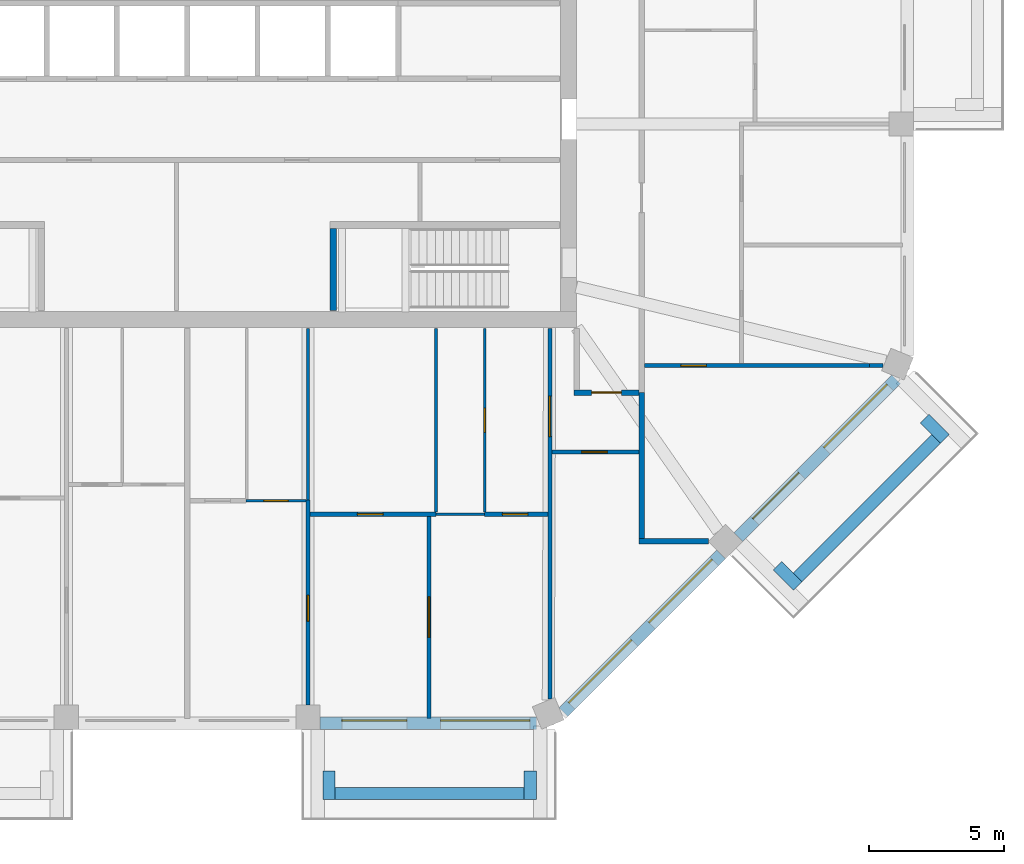
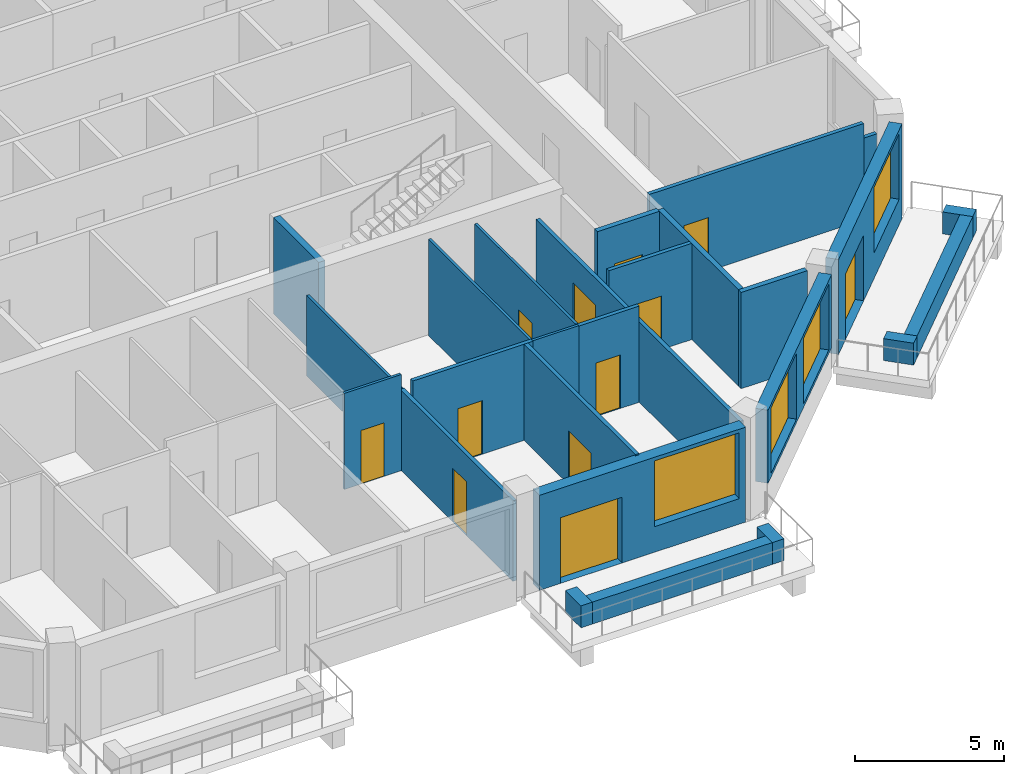
# One storey, part 5 of 13: 26 walls, 12 doors, 4 windows, 16 openings.
"""IFC4 building model written with IfcOpenShell, lengths in metres."""

from ifc_helpers import new_model, si_unit, direction, frame, frame_2d, origin, place, context, subcontext, project, spatial, rectangle, extrude, material, layer, layer_set, type_object, element, fill, save


model = new_model("IFC4")

# Units and contexts
model_context = context("Model", 3, precision=1e-05, world=origin(), true_north=direction((0.0, 1.0)))
body_context = subcontext(model_context, "Body", "Model", "MODEL_VIEW")
ifc_project = project(units=[si_unit("LENGTHUNIT", "METRE"), si_unit("AREAUNIT", "SQUARE_METRE"), si_unit("VOLUMEUNIT", "CUBIC_METRE"), si_unit("PLANEANGLEUNIT", "RADIAN"), si_unit("MASSUNIT", "GRAM", prefix="KILO")], contexts=[model_context])

# Site, building, storey
site_placement = place(None, origin())
site = spatial("IfcSite", under=ifc_project, at=site_placement, CompositionType="ELEMENT")
building_placement = place(site_placement, origin())
building = spatial("IfcBuilding", under=site, at=building_placement, Name="Msitu Wima Residences", CompositionType="ELEMENT")
storey_placement = place(building_placement, frame((0.0, 0.0, 289.5)))
storey = spatial("IfcBuildingStorey", under=building, at=storey_placement, Name="L67", CompositionType="ELEMENT", Elevation=289.5)

# Walls
ifc_material_1 = material(Name="Facing brick")
ifc_layer_1 = layer(ifc_material_1, 0.06494140625, Name="Facing brick")
ifc_material_2 = material(Name="Concrete C40/50", Category="concrete")
ifc_layer_2 = layer(ifc_material_2, 0.156005859375, Name="Concrete C40/50")
ifc_material_3 = material(Name="Waterproofing membrane")
ifc_layer_3 = layer(ifc_material_3, 0.00390625, Name="Waterproofing membrane")
ifc_material_4 = material(Name="Planting soil and planting")
ifc_layer_4 = layer(ifc_material_4, 0.22509765625, Name="Planting soil and planting")
ifc_layer_set_1 = layer_set([ifc_layer_1, ifc_layer_2, ifc_layer_3, ifc_layer_4], Name="Concrete C40/50")
wall_type_1 = type_object("IfcWallType", Name="Balcony planter PLANTER PL450", PredefinedType="USERDEFINED", material=ifc_layer_set_1)
wall_1_placement = place(storey_placement, frame((5.468505859375, -29.22509765625, 0.0), z_axis=(0.0, 0.0, 1.0), x_axis=(1.0, 0.0, 0.0)))
element("IfcWall", 1, at=wall_1_placement, inside=storey, type_object=wall_type_1, Name="Balcony planter S2 L67", ObjectType="PLANTER", PredefinedType="USERDEFINED", context=body_context, shape_type="SweptSolid", body=[
    extrude(rectangle(XDim=6.9873046875, YDim=0.449951171875, at=frame_2d((3.49365234375, 0.0))), origin(), (0.0, 0.0, 1.0), 0.89990234375),
])
for number, where, z_axis, x_axis, name in (
    (2, (5.24365234375, -28.39990234375, 0.0), (0.0, 0.0, 1.0), (0.0, -1.0, 0.0), "Balcony planter S2 L67"),
    (3, (12.680908203125, -28.39990234375, 0.0), (0.0, 0.0, 1.0), (0.0, -1.0, 0.0), "Balcony planter S2 L67"),
):
    element("IfcWall", number, at=place(storey_placement, frame(where, z_axis=z_axis, x_axis=x_axis)), inside=storey, type_object=wall_type_1, Name=name, ObjectType="PLANTER", PredefinedType="USERDEFINED", context=body_context, shape_type="SweptSolid", body=[
        extrude(rectangle(XDim=1.050048828125, YDim=0.449951171875, at=frame_2d((0.52490234375, 0.0))), origin(), (0.0, 0.0, 1.0), 0.89990234375),
    ])
wall_2_placement = place(storey_placement, frame((22.572265625, -21.228759765625, 0.0), z_axis=(0.0, 0.0, 1.0), x_axis=(0.707106781187, 0.707106781187, 0.0)))
element("IfcWall", 4, at=wall_2_placement, inside=storey, type_object=wall_type_1, Name="Balcony planter SE1 L67", ObjectType="PLANTER", PredefinedType="USERDEFINED", context=body_context, shape_type="SweptSolid", body=[
    extrude(rectangle(XDim=7.23828125, YDim=0.449951171875, at=frame_2d((3.619140625, 0.0))), origin(), (0.0, 0.0, 1.0), 0.89990234375),
])
for number, where, z_axis, x_axis, name in (
    (5, (21.829833984375, -20.804443359375, 0.0), (0.0, 0.0, 1.0), (0.707106781187, -0.707106781187, 0.0), "Balcony planter SE1 L67"),
    (6, (27.26611328125, -15.3681640625, 0.0), (0.0, 0.0, 1.0), (0.707223014731, -0.706990528533, 0.0), "Balcony planter SE1 L67"),
):
    element("IfcWall", number, at=place(storey_placement, frame(where, z_axis=z_axis, x_axis=x_axis)), inside=storey, type_object=wall_type_1, Name=name, ObjectType="PLANTER", PredefinedType="USERDEFINED", context=body_context, shape_type="SweptSolid", body=[
        extrude(rectangle(XDim=1.050048828125, YDim=0.449951171875, at=frame_2d((0.52490234375, 0.0))), origin(), (0.0, 0.0, 1.0), 0.89990234375),
    ])

# Wall, openings, door, window
ifc_material_5 = material(Name="Brick (red buff mix)", Category="masonry")
ifc_layer_5 = layer(ifc_material_5, 0.449951171875)
ifc_layer_set_2 = layer_set([ifc_layer_5], Name="Brick (red buff mix)")
wall_type_2 = type_object("IfcWallType", Name="Brick infill wall BW450", PredefinedType="SOLIDWALL", material=ifc_layer_set_2)
wall_3_placement = place(storey_placement, frame((4.918701171875, -26.625, 0.0), z_axis=(0.0, 0.0, 1.0), x_axis=(1.0, 0.0, 0.0)))
wall_3 = element("IfcWall", 7, at=wall_3_placement, inside=storey, type_object=wall_type_2, Name="Brick infill wall L67 S2", PredefinedType="SOLIDWALL", context=body_context, shape_type="SweptSolid", body=[
    extrude(rectangle(XDim=8.0, YDim=0.449951171875, at=frame_2d((4.0, 0.0))), origin(), (0.0, 0.0, 1.0), 3.89990234375),
])
opening_1_placement = place(wall_3_placement, frame((0.800048828125, 0.0, 0.0)))
opening_1 = element("IfcOpeningElement", 8, at=opening_1_placement, cuts=wall_3, Name="Opening D65-67.007", PredefinedType="OPENING", context=body_context, shape_type="SweptSolid", body=[
    extrude(rectangle(XDim=2.39990234375, YDim=2.699951171875, at=frame_2d((1.199951171875, 1.35009765625))), frame((0.0, 0.23486328125, 0.0), z_axis=(0.0, -1.0, 0.0), x_axis=(1.0, 0.0, 0.0)), (0.0, 0.0, 1.0), 0.469970703125),
])
opening_2_placement = place(wall_3_placement, frame((4.4501953125, 0.0, 1.050048828125)))
opening_2 = element("IfcOpeningElement", 9, at=opening_2_placement, cuts=wall_3, Name="Opening W65-67.019", PredefinedType="OPENING", context=body_context, shape_type="SweptSolid", body=[
    extrude(rectangle(XDim=3.300048828125, YDim=2.699951171875, at=frame_2d((1.64990234375, 1.35009765625))), frame((0.0, 0.23486328125, 0.0), z_axis=(0.0, -1.0, 0.0), x_axis=(1.0, 0.0, 0.0)), (0.0, 0.0, 1.0), 0.469970703125),
])
ifc_material_6 = material(Name="Anodised aluminium, bronze finish, clear low-emissivity double glazing", Category="aluminium")
door_type_1 = type_object("IfcDoorType", Name="Balcony door D2400x2700", OperationType="SLIDING_TO_LEFT", PredefinedType="DOOR", material=ifc_material_6)
door_1_placement = place(opening_1_placement, origin())
door_1 = element("IfcDoor", 10, at=door_1_placement, inside=storey, type_object=door_type_1, Name="Balcony door L67 S2", OperationType="SINGLE_SWING_LEFT", OverallHeight=2.699951171875, OverallWidth=2.39990234375, PredefinedType="DOOR", context=body_context, shape_type="SweptSolid", body=[
    extrude(rectangle(XDim=2.39990234375, YDim=2.699951171875, at=frame_2d((1.199951171875, 1.35009765625))), frame((0.0, 0.1298828125, 0.0), z_axis=(0.0, -1.0, 0.0), x_axis=(1.0, 0.0, 0.0)), (0.0, 0.0, 1.0), 0.050048828125),
])
fill(opening_1, door_1)
window_type = type_object("IfcWindowType", Name="Window W3300x2700", PartitioningType="DOUBLE_PANEL_VERTICAL", PredefinedType="WINDOW", material=ifc_material_6)
window_1_placement = place(opening_2_placement, origin())
window_1 = element("IfcWindow", 11, at=window_1_placement, inside=storey, type_object=window_type, Name="Window L67 S2.2", OverallHeight=2.699951171875, OverallWidth=3.300048828125, PartitioningType="SINGLE_PANEL", PredefinedType="WINDOW", context=body_context, shape_type="SweptSolid", body=[
    extrude(rectangle(XDim=3.300048828125, YDim=2.699951171875, at=frame_2d((1.64990234375, 1.35009765625))), frame((0.0, 0.135009765625, 0.0), z_axis=(0.0, -1.0, 0.0), x_axis=(1.0, 0.0, 0.0)), (0.0, 0.0, 1.0), 0.06005859375),
])
fill(opening_2, window_1)

# Wall, openings, windows
wall_4_placement = place(storey_placement, frame((13.909423828125, -26.214599609375, 0.89990234375), z_axis=(0.0, 0.0, 1.0), x_axis=(0.707106781187, 0.707106781187, 0.0)))
wall_4 = element("IfcWall", 12, at=wall_4_placement, inside=storey, type_object=wall_type_2, Name="Brick infill wall L67 SE0", PredefinedType="SOLIDWALL", context=body_context, shape_type="SweptSolid", body=[
    extrude(rectangle(XDim=8.251220703125, YDim=0.449951171875, at=frame_2d((4.12548828125, 0.0))), origin(), (0.0, 0.0, 1.0), 3.0),
])
opening_3_placement = place(wall_4_placement, frame((0.37548828125, 0.0, 0.14990234375)))
opening_3 = element("IfcOpeningElement", 13, at=opening_3_placement, cuts=wall_4, Name="Opening W65-67.020", PredefinedType="OPENING", context=body_context, shape_type="SweptSolid", body=[
    extrude(rectangle(XDim=3.300048828125, YDim=2.699951171875, at=frame_2d((1.64990234375, 1.35009765625))), frame((0.0, 0.23486328125, 0.0), z_axis=(0.0, -1.0, 0.0), x_axis=(1.0, 0.0, 0.0)), (0.0, 0.0, 1.0), 0.469970703125),
])
opening_4_placement = place(wall_4_placement, frame((4.57568359375, 0.0, 0.14990234375)))
opening_4 = element("IfcOpeningElement", 14, at=opening_4_placement, cuts=wall_4, Name="Opening W65-67.021", PredefinedType="OPENING", context=body_context, shape_type="SweptSolid", body=[
    extrude(rectangle(XDim=3.300048828125, YDim=2.699951171875, at=frame_2d((1.64990234375, 1.35009765625))), frame((0.0, 0.23486328125, 0.0), z_axis=(0.0, -1.0, 0.0), x_axis=(1.0, 0.0, 0.0)), (0.0, 0.0, 1.0), 0.469970703125),
])
window_2_placement = place(opening_3_placement, origin())
window_2 = element("IfcWindow", 15, at=window_2_placement, inside=storey, type_object=window_type, Name="Window L67 SE0.1", OverallHeight=2.699951171875, OverallWidth=3.300048828125, PartitioningType="SINGLE_PANEL", PredefinedType="WINDOW", context=body_context, shape_type="SweptSolid", body=[
    extrude(rectangle(XDim=3.300048828125, YDim=2.699951171875, at=frame_2d((1.64990234375, 1.35009765625))), frame((0.0, 0.135009765625, 0.0), z_axis=(0.0, -1.0, 0.0), x_axis=(1.0, 0.0, 0.0)), (0.0, 0.0, 1.0), 0.06005859375),
])
fill(opening_3, window_2)
window_3_placement = place(opening_4_placement, origin())
window_3 = element("IfcWindow", 16, at=window_3_placement, inside=storey, type_object=window_type, Name="Window L67 SE0.2", OverallHeight=2.699951171875, OverallWidth=3.300048828125, PartitioningType="SINGLE_PANEL", PredefinedType="WINDOW", context=body_context, shape_type="SweptSolid", body=[
    extrude(rectangle(XDim=3.300048828125, YDim=2.699951171875, at=frame_2d((1.64990234375, 1.35009765625))), frame((0.0, 0.135009765625, 0.0), z_axis=(0.0, -1.0, 0.0), x_axis=(1.0, 0.0, 0.0)), (0.0, 0.0, 1.0), 0.06005859375),
])
fill(opening_4, window_3)

# Wall, openings, door, window
wall_5_placement = place(storey_placement, frame((20.380126953125, -19.743896484375, 0.0), z_axis=(0.0, 0.0, 1.0), x_axis=(0.707106781187, 0.707106781187, 0.0)))
wall_5 = element("IfcWall", 17, at=wall_5_placement, inside=storey, type_object=wall_type_2, Name="Brick infill wall L67 SE1", PredefinedType="SOLIDWALL", context=body_context, shape_type="SweptSolid", body=[
    extrude(rectangle(XDim=8.251220703125, YDim=0.449951171875, at=frame_2d((4.12548828125, 0.0))), origin(), (0.0, 0.0, 1.0), 3.89990234375),
])
opening_5_placement = place(wall_5_placement, frame((0.86279296875, 0.0, 0.0)))
opening_5 = element("IfcOpeningElement", 18, at=opening_5_placement, cuts=wall_5, Name="Opening D65-67.008", PredefinedType="OPENING", context=body_context, shape_type="SweptSolid", body=[
    extrude(rectangle(XDim=2.39990234375, YDim=2.699951171875, at=frame_2d((1.199951171875, 1.35009765625))), frame((0.0, 0.23486328125, 0.0), z_axis=(0.0, -1.0, 0.0), x_axis=(1.0, 0.0, 0.0)), (0.0, 0.0, 1.0), 0.469970703125),
])
opening_6_placement = place(wall_5_placement, frame((4.57568359375, 0.0, 1.050048828125)))
opening_6 = element("IfcOpeningElement", 19, at=opening_6_placement, cuts=wall_5, Name="Opening W65-67.022", PredefinedType="OPENING", context=body_context, shape_type="SweptSolid", body=[
    extrude(rectangle(XDim=3.300048828125, YDim=2.699951171875, at=frame_2d((1.64990234375, 1.35009765625))), frame((0.0, 0.23486328125, 0.0), z_axis=(0.0, -1.0, 0.0), x_axis=(1.0, 0.0, 0.0)), (0.0, 0.0, 1.0), 0.469970703125),
])
door_2_placement = place(opening_5_placement, origin())
door_2 = element("IfcDoor", 20, at=door_2_placement, inside=storey, type_object=door_type_1, Name="Balcony door L67 SE1", OperationType="SINGLE_SWING_LEFT", OverallHeight=2.699951171875, OverallWidth=2.39990234375, PredefinedType="DOOR", context=body_context, shape_type="SweptSolid", body=[
    extrude(rectangle(XDim=2.39990234375, YDim=2.699951171875, at=frame_2d((1.199951171875, 1.35009765625))), frame((0.0, 0.1298828125, 0.0), z_axis=(0.0, -1.0, 0.0), x_axis=(1.0, 0.0, 0.0)), (0.0, 0.0, 1.0), 0.050048828125),
])
fill(opening_5, door_2)
window_4_placement = place(opening_6_placement, origin())
window_4 = element("IfcWindow", 21, at=window_4_placement, inside=storey, type_object=window_type, Name="Window L67 SE1.2", OverallHeight=2.699951171875, OverallWidth=3.300048828125, PartitioningType="SINGLE_PANEL", PredefinedType="WINDOW", context=body_context, shape_type="SweptSolid", body=[
    extrude(rectangle(XDim=3.300048828125, YDim=2.699951171875, at=frame_2d((1.64990234375, 1.35009765625))), frame((0.0, 0.135009765625, 0.0), z_axis=(0.0, -1.0, 0.0), x_axis=(1.0, 0.0, 0.0)), (0.0, 0.0, 1.0), 0.06005859375),
])
fill(opening_6, window_4)

# Wall, opening, door
ifc_material_7 = material(Name="Plaster")
ifc_layer_6 = layer(ifc_material_7, 0.011962890625, Name="Plaster")
ifc_material_8 = material(Name="Concrete blockwork", Category="masonry")
ifc_layer_7 = layer(ifc_material_8, 0.176025390625, Name="Concrete blockwork")
ifc_layer_8 = layer(ifc_material_7, 0.011962890625, Name="Plaster")
ifc_layer_set_3 = layer_set([ifc_layer_6, ifc_layer_7, ifc_layer_8], Name="Concrete blockwork")
wall_type_3 = type_object("IfcWallType", Name="Corridor wall FW200", PredefinedType="PARTITIONING", material=ifc_layer_set_3)
wall_6_placement = place(storey_placement, frame((14.300048828125, -14.39990234375, 0.0), z_axis=(0.0, 0.0, 1.0), x_axis=(1.0, 0.0, 0.0)))
wall_6 = element("IfcWall", 22, at=wall_6_placement, inside=storey, type_object=wall_type_3, Name="Corridor wall", PredefinedType="PARTITIONING", context=body_context, shape_type="SweptSolid", body=[
    extrude(rectangle(XDim=2.39990234375, YDim=0.199951171875, at=frame_2d((1.199951171875, 0.0))), origin(), (0.0, 0.0, 1.0), 3.949951171875),
])
opening_7_placement = place(wall_6_placement, frame((0.64990234375, 0.0, 0.0)))
opening_7 = element("IfcOpeningElement", 23, at=opening_7_placement, cuts=wall_6, Name="Opening D65-67.064", PredefinedType="OPENING", context=body_context, shape_type="SweptSolid", body=[
    extrude(rectangle(XDim=1.10009765625, YDim=2.39990234375, at=frame_2d((0.550048828125, 1.199951171875))), frame((0.0, 0.10986328125, 0.0), z_axis=(0.0, -1.0, 0.0), x_axis=(1.0, 0.0, 0.0)), (0.0, 0.0, 1.0), 0.219970703125),
])
ifc_material_9 = material(Name="Timber flush door, fire resisting, self-closing", Category="wood")
door_type_2 = type_object("IfcDoorType", Name="Flat entrance door D01 1100x2400", OperationType="SINGLE_SWING_LEFT", PredefinedType="DOOR", material=ifc_material_9)
door_3_placement = place(opening_7_placement, origin())
door_3 = element("IfcDoor", 24, at=door_3_placement, inside=storey, type_object=door_type_2, Name="Flat entrance door", OperationType="SINGLE_SWING_LEFT", OverallHeight=2.39990234375, OverallWidth=1.10009765625, PredefinedType="DOOR", context=body_context, shape_type="SweptSolid", body=[
    extrude(rectangle(XDim=1.10009765625, YDim=2.39990234375, at=frame_2d((0.550048828125, 1.199951171875))), frame((0.0, 0.02490234375, 0.0), z_axis=(0.0, -1.0, 0.0), x_axis=(1.0, 0.0, 0.0)), (0.0, 0.0, 1.0), 0.050048828125),
])
fill(opening_7, door_3)

ifc_layer_9 = layer(ifc_material_7, 0.011962890625, Name="Plaster")
ifc_layer_10 = layer(ifc_material_8, 0.1259765625, Name="Concrete blockwork")
ifc_layer_11 = layer(ifc_material_7, 0.011962890625, Name="Plaster")
ifc_layer_set_4 = layer_set([ifc_layer_9, ifc_layer_10, ifc_layer_11], Name="Concrete blockwork")
wall_type_4 = type_object("IfcWallType", Name="Partition PW150", PredefinedType="PARTITIONING", material=ifc_layer_set_4)
wall_7_placement = place(storey_placement, frame((4.46875, -25.949951171875, 0.0), z_axis=(0.0, 0.0, 1.0), x_axis=(0.0, 1.0, 0.0)))
wall_7 = element("IfcWall", 25, at=wall_7_placement, inside=storey, type_object=wall_type_4, Name="Partition", PredefinedType="PARTITIONING", context=body_context, shape_type="SweptSolid", body=[
    extrude(rectangle(XDim=7.570068359375, YDim=0.14990234375, at=frame_2d((3.78515625, 0.0))), origin(), (0.0, 0.0, 1.0), 3.300048828125),
])
opening_8_placement = place(wall_7_placement, frame((3.10009765625, 0.0, 0.0)))
opening_8 = element("IfcOpeningElement", 26, at=opening_8_placement, cuts=wall_7, Name="Opening D65-67.071", PredefinedType="OPENING", context=body_context, shape_type="SweptSolid", body=[
    extrude(rectangle(XDim=0.949951171875, YDim=2.199951171875, at=frame_2d((0.47509765625, 1.10009765625))), frame((0.0, 0.0849609375, 0.0), z_axis=(0.0, -1.0, 0.0), x_axis=(1.0, 0.0, 0.0)), (0.0, 0.0, 1.0), 0.169921875),
])
ifc_material_10 = material(Name="Timber flush door", Category="wood")
door_type_3 = type_object("IfcDoorType", Name="Room door D12 950x2200", OperationType="SINGLE_SWING_LEFT", PredefinedType="DOOR", material=ifc_material_10)
door_4_placement = place(opening_8_placement, origin())
door_4 = element("IfcDoor", 27, at=door_4_placement, inside=storey, type_object=door_type_3, Name="Room door", OperationType="SINGLE_SWING_LEFT", OverallHeight=2.199951171875, OverallWidth=0.949951171875, PredefinedType="DOOR", context=body_context, shape_type="SweptSolid", body=[
    extrude(rectangle(XDim=0.949951171875, YDim=2.199951171875, at=frame_2d((0.47509765625, 1.10009765625))), frame((0.0, 0.02490234375, 0.0), z_axis=(0.0, -1.0, 0.0), x_axis=(1.0, 0.0, 0.0)), (0.0, 0.0, 1.0), 0.050048828125),
])
fill(opening_8, door_4)

wall_8_placement = place(storey_placement, frame((4.543701171875, -18.89990234375, 0.0), z_axis=(0.0, 0.0, 1.0), x_axis=(1.0, 0.0, 0.0)))
wall_8 = element("IfcWall", 28, at=wall_8_placement, inside=storey, type_object=wall_type_4, Name="Partition", PredefinedType="PARTITIONING", context=body_context, shape_type="SweptSolid", body=[
    extrude(rectangle(XDim=4.65625, YDim=0.14990234375, at=frame_2d((2.328125, 0.0))), origin(), (0.0, 0.0, 1.0), 3.949951171875),
])
opening_9_placement = place(wall_8_placement, frame((1.75, 0.0, 0.0)))
opening_9 = element("IfcOpeningElement", 29, at=opening_9_placement, cuts=wall_8, Name="Opening D65-67.070", PredefinedType="OPENING", context=body_context, shape_type="SweptSolid", body=[
    extrude(rectangle(XDim=0.949951171875, YDim=2.199951171875, at=frame_2d((0.47509765625, 1.10009765625))), frame((0.0, 0.0849609375, 0.0), z_axis=(0.0, -1.0, 0.0), x_axis=(1.0, 0.0, 0.0)), (0.0, 0.0, 1.0), 0.169921875),
])
door_5_placement = place(opening_9_placement, origin())
door_5 = element("IfcDoor", 30, at=door_5_placement, inside=storey, type_object=door_type_3, Name="Room door", OperationType="SINGLE_SWING_LEFT", OverallHeight=2.199951171875, OverallWidth=0.949951171875, PredefinedType="DOOR", context=body_context, shape_type="SweptSolid", body=[
    extrude(rectangle(XDim=0.949951171875, YDim=2.199951171875, at=frame_2d((0.47509765625, 1.10009765625))), frame((0.0, 0.02490234375, 0.0), z_axis=(0.0, -1.0, 0.0), x_axis=(1.0, 0.0, 0.0)), (0.0, 0.0, 1.0), 0.050048828125),
])
fill(opening_9, door_5)

wall_9_placement = place(storey_placement, frame((8.937255859375, -26.455078125, 0.0), z_axis=(0.0, 0.0, 1.0), x_axis=(0.0, 1.0, 0.0)))
wall_9 = element("IfcWall", 31, at=wall_9_placement, inside=storey, type_object=wall_type_4, Name="Partition", PredefinedType="PARTITIONING", context=body_context, shape_type="SweptSolid", body=[
    extrude(rectangle(XDim=7.47998046875, YDim=0.14990234375, at=frame_2d((3.739990234375, 0.0))), origin(), (0.0, 0.0, 1.0), 3.949951171875),
])
opening_10_placement = place(wall_9_placement, frame((3.0, 0.0, 0.0)))
opening_10 = element("IfcOpeningElement", 32, at=opening_10_placement, cuts=wall_9, Name="Opening D65-67.069", PredefinedType="OPENING", context=body_context, shape_type="SweptSolid", body=[
    extrude(rectangle(XDim=1.5, YDim=2.199951171875, at=frame_2d((0.75, 1.10009765625))), frame((0.0, 0.0849609375, 0.0), z_axis=(0.0, -1.0, 0.0), x_axis=(1.0, 0.0, 0.0)), (0.0, 0.0, 1.0), 0.169921875),
])
ifc_material_11 = material(Name="Timber double door", Category="wood")
door_type_4 = type_object("IfcDoorType", Name="Double door D04 1500x2200", OperationType="DOUBLE_DOOR_SINGLE_SWING", PredefinedType="DOOR", material=ifc_material_11)
door_6_placement = place(opening_10_placement, origin())
door_6 = element("IfcDoor", 33, at=door_6_placement, inside=storey, type_object=door_type_4, Name="Double door", OperationType="DOUBLE_DOOR_SINGLE_SWING", OverallHeight=2.199951171875, OverallWidth=1.5, PredefinedType="DOOR", context=body_context, shape_type="SweptSolid", body=[
    extrude(rectangle(XDim=1.5, YDim=2.199951171875, at=frame_2d((0.75, 1.10009765625))), frame((0.0, 0.02490234375, 0.0), z_axis=(0.0, -1.0, 0.0), x_axis=(1.0, 0.0, 0.0)), (0.0, 0.0, 1.0), 0.050048828125),
])
fill(opening_10, door_6)

wall_10_placement = place(storey_placement, frame((11.0, -18.89990234375, 0.0), z_axis=(0.0, 0.0, 1.0), x_axis=(1.0, 0.0, 0.0)))
wall_10 = element("IfcWall", 34, at=wall_10_placement, inside=storey, type_object=wall_type_4, Name="Partition", PredefinedType="PARTITIONING", context=body_context, shape_type="SweptSolid", body=[
    extrude(rectangle(XDim=2.330810546875, YDim=0.14990234375, at=frame_2d((1.16552734375, 0.0))), origin(), (0.0, 0.0, 1.0), 3.949951171875),
])
opening_11_placement = place(wall_10_placement, frame((0.64990234375, 0.0, 0.0)))
opening_11 = element("IfcOpeningElement", 35, at=opening_11_placement, cuts=wall_10, Name="Opening D65-67.066", PredefinedType="OPENING", context=body_context, shape_type="SweptSolid", body=[
    extrude(rectangle(XDim=0.949951171875, YDim=2.199951171875, at=frame_2d((0.47509765625, 1.10009765625))), frame((0.0, 0.0849609375, 0.0), z_axis=(0.0, -1.0, 0.0), x_axis=(1.0, 0.0, 0.0)), (0.0, 0.0, 1.0), 0.169921875),
])
door_7_placement = place(opening_11_placement, origin())
door_7 = element("IfcDoor", 36, at=door_7_placement, inside=storey, type_object=door_type_3, Name="Room door", OperationType="SINGLE_SWING_LEFT", OverallHeight=2.199951171875, OverallWidth=0.949951171875, PredefinedType="DOOR", context=body_context, shape_type="SweptSolid", body=[
    extrude(rectangle(XDim=0.949951171875, YDim=2.199951171875, at=frame_2d((0.47509765625, 1.10009765625))), frame((0.0, 0.02490234375, 0.0), z_axis=(0.0, -1.0, 0.0), x_axis=(1.0, 0.0, 0.0)), (0.0, 0.0, 1.0), 0.050048828125),
])
fill(opening_11, door_7)

wall_11_placement = place(storey_placement, frame((13.406005859375, -25.731201171875, 0.0), z_axis=(0.0, 0.0, 1.0), x_axis=(0.0, 1.0, 0.0)))
wall_11 = element("IfcWall", 37, at=wall_11_placement, inside=storey, type_object=wall_type_4, Name="Partition", PredefinedType="PARTITIONING", context=body_context, shape_type="SweptSolid", body=[
    extrude(rectangle(XDim=13.701171875, YDim=0.14990234375, at=frame_2d((6.8505859375, 0.0))), origin(), (0.0, 0.0, 1.0), 3.300048828125),
])
opening_12_placement = place(wall_11_placement, frame((9.699951171875, 0.0, 0.0)))
opening_12 = element("IfcOpeningElement", 38, at=opening_12_placement, cuts=wall_11, Name="Opening D65-67.065", PredefinedType="OPENING", context=body_context, shape_type="SweptSolid", body=[
    extrude(rectangle(XDim=1.5, YDim=2.199951171875, at=frame_2d((0.75, 1.10009765625))), frame((0.0, 0.0849609375, 0.0), z_axis=(0.0, -1.0, 0.0), x_axis=(1.0, 0.0, 0.0)), (0.0, 0.0, 1.0), 0.169921875),
])
door_8_placement = place(opening_12_placement, origin())
door_8 = element("IfcDoor", 39, at=door_8_placement, inside=storey, type_object=door_type_4, Name="Double door", OperationType="DOUBLE_DOOR_SINGLE_SWING", OverallHeight=2.199951171875, OverallWidth=1.5, PredefinedType="DOOR", context=body_context, shape_type="SweptSolid", body=[
    extrude(rectangle(XDim=1.5, YDim=2.199951171875, at=frame_2d((0.75, 1.10009765625))), frame((0.0, 0.02490234375, 0.0), z_axis=(0.0, -1.0, 0.0), x_axis=(1.0, 0.0, 0.0)), (0.0, 0.0, 1.0), 0.050048828125),
])
fill(opening_12, door_8)

wall_12_placement = place(storey_placement, frame((13.48095703125, -16.60009765625, 0.0), z_axis=(0.0, 0.0, 1.0), x_axis=(1.0, 0.0, 0.0)))
wall_12 = element("IfcWall", 40, at=wall_12_placement, inside=storey, type_object=wall_type_4, Name="Partition", PredefinedType="PARTITIONING", context=body_context, shape_type="SweptSolid", body=[
    extrude(rectangle(XDim=3.218994140625, YDim=0.14990234375, at=frame_2d((1.609375, 0.0))), origin(), (0.0, 0.0, 1.0), 3.949951171875),
])
opening_13_placement = place(wall_12_placement, frame((1.10009765625, 0.0, 0.0)))
opening_13 = element("IfcOpeningElement", 41, at=opening_13_placement, cuts=wall_12, Name="Opening D65-67.067", PredefinedType="OPENING", context=body_context, shape_type="SweptSolid", body=[
    extrude(rectangle(XDim=0.949951171875, YDim=2.199951171875, at=frame_2d((0.47509765625, 1.10009765625))), frame((0.0, 0.0849609375, 0.0), z_axis=(0.0, -1.0, 0.0), x_axis=(1.0, 0.0, 0.0)), (0.0, 0.0, 1.0), 0.169921875),
])
door_9_placement = place(opening_13_placement, origin())
door_9 = element("IfcDoor", 42, at=door_9_placement, inside=storey, type_object=door_type_3, Name="Room door", OperationType="SINGLE_SWING_RIGHT", OverallHeight=2.199951171875, OverallWidth=0.949951171875, PredefinedType="DOOR", context=body_context, shape_type="SweptSolid", body=[
    extrude(rectangle(XDim=0.949951171875, YDim=2.199951171875, at=frame_2d((0.47509765625, 1.10009765625))), frame((0.0, 0.02490234375, 0.0), z_axis=(0.0, -1.0, 0.0), x_axis=(1.0, 0.0, 0.0)), (0.0, 0.0, 1.0), 0.050048828125),
])
fill(opening_13, door_9)

wall_13_placement = place(storey_placement, frame((16.89990234375, -13.406005859375, 0.0), z_axis=(0.0, 0.0, 1.0), x_axis=(1.0, 0.0, 0.0)))
wall_13 = element("IfcWall", 43, at=wall_13_placement, inside=storey, type_object=wall_type_4, Name="Partition", PredefinedType="PARTITIONING", context=body_context, shape_type="SweptSolid", body=[
    extrude(rectangle(XDim=8.32421875, YDim=0.14990234375, at=frame_2d((4.162109375, 0.0))), origin(), (0.0, 0.0, 1.0), 3.949951171875),
])
opening_14_placement = place(wall_13_placement, frame((1.35009765625, 0.0, 0.0)))
opening_14 = element("IfcOpeningElement", 44, at=opening_14_placement, cuts=wall_13, Name="Opening D65-67.012", PredefinedType="OPENING", context=body_context, shape_type="SweptSolid", body=[
    extrude(rectangle(XDim=0.949951171875, YDim=2.199951171875, at=frame_2d((0.47509765625, 1.10009765625))), frame((0.0, 0.0849609375, 0.0), z_axis=(0.0, -1.0, 0.0), x_axis=(1.0, 0.0, 0.0)), (0.0, 0.0, 1.0), 0.169921875),
])
door_10_placement = place(opening_14_placement, origin())
door_10 = element("IfcDoor", 45, at=door_10_placement, inside=storey, type_object=door_type_3, Name="Room door", OperationType="SINGLE_SWING_RIGHT", OverallHeight=2.199951171875, OverallWidth=0.949951171875, PredefinedType="DOOR", context=body_context, shape_type="SweptSolid", body=[
    extrude(rectangle(XDim=0.949951171875, YDim=2.199951171875, at=frame_2d((0.47509765625, 1.10009765625))), frame((0.0, 0.02490234375, 0.0), z_axis=(0.0, -1.0, 0.0), x_axis=(1.0, 0.0, 0.0)), (0.0, 0.0, 1.0), 0.050048828125),
])
fill(opening_14, door_10)

# Walls
wall_14_placement = place(storey_placement, frame((25.22412109375, -13.406005859375, 0.0), z_axis=(0.0, 0.0, 1.0), x_axis=(1.0, 0.0, 0.0)))
element("IfcWall", 46, at=wall_14_placement, inside=storey, type_object=wall_type_4, Name="Partition", PredefinedType="PARTITIONING", context=body_context, shape_type="SweptSolid", body=[
    extrude(rectangle(XDim=0.507080078125, YDim=0.14990234375, at=frame_2d((0.25341796875, 0.0))), origin(), (0.0, 0.0, 1.0), 3.35009765625),
])
ifc_layer_12 = layer(ifc_material_7, 0.011962890625, Name="Plaster")
ifc_material_12 = material(Name="Dense concrete blockwork", Category="masonry")
ifc_layer_13 = layer(ifc_material_12, 0.176025390625, Name="Dense concrete blockwork")
ifc_layer_14 = layer(ifc_material_7, 0.011962890625, Name="Plaster")
ifc_layer_set_5 = layer_set([ifc_layer_12, ifc_layer_13, ifc_layer_14], Name="Dense concrete blockwork")
wall_type_5 = type_object("IfcWallType", Name="Party wall PW200", PredefinedType="PARTITIONING", material=ifc_layer_set_5)
wall_15_placement = place(storey_placement, frame((16.800048828125, -19.802978515625, 0.0), z_axis=(0.0, 0.0, 1.0), x_axis=(0.0, 1.0, 0.0)))
element("IfcWall", 47, at=wall_15_placement, inside=storey, type_object=wall_type_5, Name="Party wall", PredefinedType="PARTITIONING", context=body_context, shape_type="SweptSolid", body=[
    extrude(rectangle(XDim=5.403076171875, YDim=0.199951171875, at=frame_2d((2.70166015625, 0.0))), origin(), (0.0, 0.0, 1.0), 3.949951171875),
])
wall_16_placement = place(storey_placement, frame((16.699951171875, -19.90283203125, 0.0), z_axis=(0.0, 0.0, 1.0), x_axis=(1.0, 0.0, 0.0)))
element("IfcWall", 48, at=wall_16_placement, inside=storey, type_object=wall_type_5, Name="Party wall", PredefinedType="PARTITIONING", context=body_context, shape_type="SweptSolid", body=[
    extrude(rectangle(XDim=2.566650390625, YDim=0.199951171875, at=frame_2d((1.283203125, 0.0))), origin(), (0.0, 0.0, 1.0), 3.949951171875),
])
ifc_material_13 = material(Name="Concrete C50/60", Category="concrete")
ifc_layer_15 = layer(ifc_material_13, 0.25)
ifc_layer_set_6 = layer_set([ifc_layer_15], Name="Concrete C50/60")
wall_type_6 = type_object("IfcWallType", Name="Stair enclosure wall SW250", PredefinedType="SHEAR", material=ifc_layer_set_6)
wall_17_placement = place(storey_placement, frame((5.39990234375, -11.3701171875, 0.0), z_axis=(0.0, 0.0, 1.0), x_axis=(0.0, 1.0, 0.0)))
element("IfcWall", 49, at=wall_17_placement, inside=storey, type_object=wall_type_6, Name="Stair enclosure wall", PredefinedType="SHEAR", context=body_context, shape_type="SweptSolid", body=[
    extrude(rectangle(XDim=3.045166015625, YDim=0.25, at=frame_2d((1.5224609375, 0.0))), origin(), (0.0, 0.0, 1.0), 3.949951171875),
])

# Wall, opening, door
ifc_material_14 = material(Name="Ceramic tiles")
ifc_layer_16 = layer(ifc_material_14, 0.008056640625, Name="Ceramic tiles")
ifc_material_15 = material(Name="Moisture-resistant board")
ifc_layer_17 = layer(ifc_material_15, 0.012451171875, Name="Moisture-resistant board")
ifc_material_16 = material(Name="Light-gauge stud framing with mineral wool")
ifc_layer_18 = layer(ifc_material_16, 0.06689453125, Name="Light-gauge stud framing with mineral wool")
ifc_layer_19 = layer(ifc_material_15, 0.012451171875, Name="Moisture-resistant board")
ifc_layer_set_7 = layer_set([ifc_layer_16, ifc_layer_17, ifc_layer_18, ifc_layer_19], Name="Light-gauge stud framing with mineral wool")
wall_type_7 = type_object("IfcWallType", Name="Wet wall PW100", PredefinedType="PARTITIONING", material=ifc_layer_set_7)
wall_18_placement = place(storey_placement, frame((2.179931640625, -18.39990234375, 0.0), z_axis=(0.0, 0.0, 1.0), x_axis=(1.0, 0.0, 0.0)))
wall_18 = element("IfcWall", 50, at=wall_18_placement, inside=storey, type_object=wall_type_7, Name="Wet wall", PredefinedType="PARTITIONING", context=body_context, shape_type="SweptSolid", body=[
    extrude(rectangle(XDim=2.213623046875, YDim=0.10009765625, at=frame_2d((1.10693359375, 0.0))), origin(), (0.0, 0.0, 1.0), 3.949951171875),
])
opening_15_placement = place(wall_18_placement, frame((0.64990234375, 0.0, 0.0)))
opening_15 = element("IfcOpeningElement", 51, at=opening_15_placement, cuts=wall_18, Name="Opening D65-67.073", PredefinedType="OPENING", context=body_context, shape_type="SweptSolid", body=[
    extrude(rectangle(XDim=0.89990234375, YDim=2.199951171875, at=frame_2d((0.449951171875, 1.10009765625))), frame((0.0, 0.06005859375, 0.0), z_axis=(0.0, -1.0, 0.0), x_axis=(1.0, 0.0, 0.0)), (0.0, 0.0, 1.0), 0.1201171875),
])
ifc_material_17 = material(Name="Timber flush door, moisture resistant", Category="wood")
door_type_5 = type_object("IfcDoorType", Name="Bathroom door D03 900x2200", OperationType="SINGLE_SWING_LEFT", PredefinedType="DOOR", material=ifc_material_17)
door_11_placement = place(opening_15_placement, origin())
door_11 = element("IfcDoor", 52, at=door_11_placement, inside=storey, type_object=door_type_5, Name="Bathroom door", OperationType="SINGLE_SWING_LEFT", OverallHeight=2.199951171875, OverallWidth=0.89990234375, PredefinedType="DOOR", context=body_context, shape_type="SweptSolid", body=[
    extrude(rectangle(XDim=0.89990234375, YDim=2.199951171875, at=frame_2d((0.449951171875, 1.10009765625))), frame((0.0, 0.02490234375, 0.0), z_axis=(0.0, -1.0, 0.0), x_axis=(1.0, 0.0, 0.0)), (0.0, 0.0, 1.0), 0.050048828125),
])
fill(opening_15, door_11)

# Walls
wall_19_placement = place(storey_placement, frame((4.46875, -18.3798828125, 0.0), z_axis=(0.0, 0.0, 1.0), x_axis=(0.0, 1.0, 0.0)))
element("IfcWall", 53, at=wall_19_placement, inside=storey, type_object=wall_type_7, Name="Wet wall", PredefinedType="PARTITIONING", context=body_context, shape_type="SweptSolid", body=[
    extrude(rectangle(XDim=6.349853515625, YDim=0.10009765625, at=frame_2d((3.1748046875, 0.0))), origin(), (0.0, 0.0, 1.0), 3.300048828125),
])
wall_20_placement = place(storey_placement, frame((9.199951171875, -18.89990234375, 0.0), z_axis=(0.0, 0.0, 1.0), x_axis=(1.0, 0.0, 0.0)))
element("IfcWall", 54, at=wall_20_placement, inside=storey, type_object=wall_type_7, Name="Wet wall", PredefinedType="PARTITIONING", context=body_context, shape_type="SweptSolid", body=[
    extrude(rectangle(XDim=1.800048828125, YDim=0.10009765625, at=frame_2d((0.89990234375, 0.0))), origin(), (0.0, 0.0, 1.0), 3.949951171875),
])
wall_21_placement = place(storey_placement, frame((9.199951171875, -18.824951171875, 0.0), z_axis=(0.0, 0.0, 1.0), x_axis=(0.0, 1.0, 0.0)))
element("IfcWall", 55, at=wall_21_placement, inside=storey, type_object=wall_type_7, Name="Wet wall", PredefinedType="PARTITIONING", context=body_context, shape_type="SweptSolid", body=[
    extrude(rectangle(XDim=6.794921875, YDim=0.10009765625, at=frame_2d((3.3974609375, 0.0))), origin(), (0.0, 0.0, 1.0), 3.949951171875),
])

# Wall, opening, door
wall_22_placement = place(storey_placement, frame((11.0, -18.824951171875, 0.0), z_axis=(0.0, 0.0, 1.0), x_axis=(0.0, 1.0, 0.0)))
wall_22 = element("IfcWall", 56, at=wall_22_placement, inside=storey, type_object=wall_type_7, Name="Wet wall", PredefinedType="PARTITIONING", context=body_context, shape_type="SweptSolid", body=[
    extrude(rectangle(XDim=6.794921875, YDim=0.10009765625, at=frame_2d((3.3974609375, 0.0))), origin(), (0.0, 0.0, 1.0), 3.949951171875),
])
opening_16_placement = place(wall_22_placement, frame((2.949951171875, 0.0, 0.0)))
opening_16 = element("IfcOpeningElement", 57, at=opening_16_placement, cuts=wall_22, Name="Opening D65-67.068", PredefinedType="OPENING", context=body_context, shape_type="SweptSolid", body=[
    extrude(rectangle(XDim=0.89990234375, YDim=2.199951171875, at=frame_2d((0.449951171875, 1.10009765625))), frame((0.0, 0.06005859375, 0.0), z_axis=(0.0, -1.0, 0.0), x_axis=(1.0, 0.0, 0.0)), (0.0, 0.0, 1.0), 0.1201171875),
])
door_12_placement = place(opening_16_placement, origin())
door_12 = element("IfcDoor", 58, at=door_12_placement, inside=storey, type_object=door_type_5, Name="Bathroom door", OperationType="SINGLE_SWING_RIGHT", OverallHeight=2.199951171875, OverallWidth=0.89990234375, PredefinedType="DOOR", context=body_context, shape_type="SweptSolid", body=[
    extrude(rectangle(XDim=0.89990234375, YDim=2.199951171875, at=frame_2d((0.449951171875, 1.10009765625))), frame((0.0, 0.02490234375, 0.0), z_axis=(0.0, -1.0, 0.0), x_axis=(1.0, 0.0, 0.0)), (0.0, 0.0, 1.0), 0.050048828125),
])
fill(opening_16, door_12)

save(model, "model.ifc")
